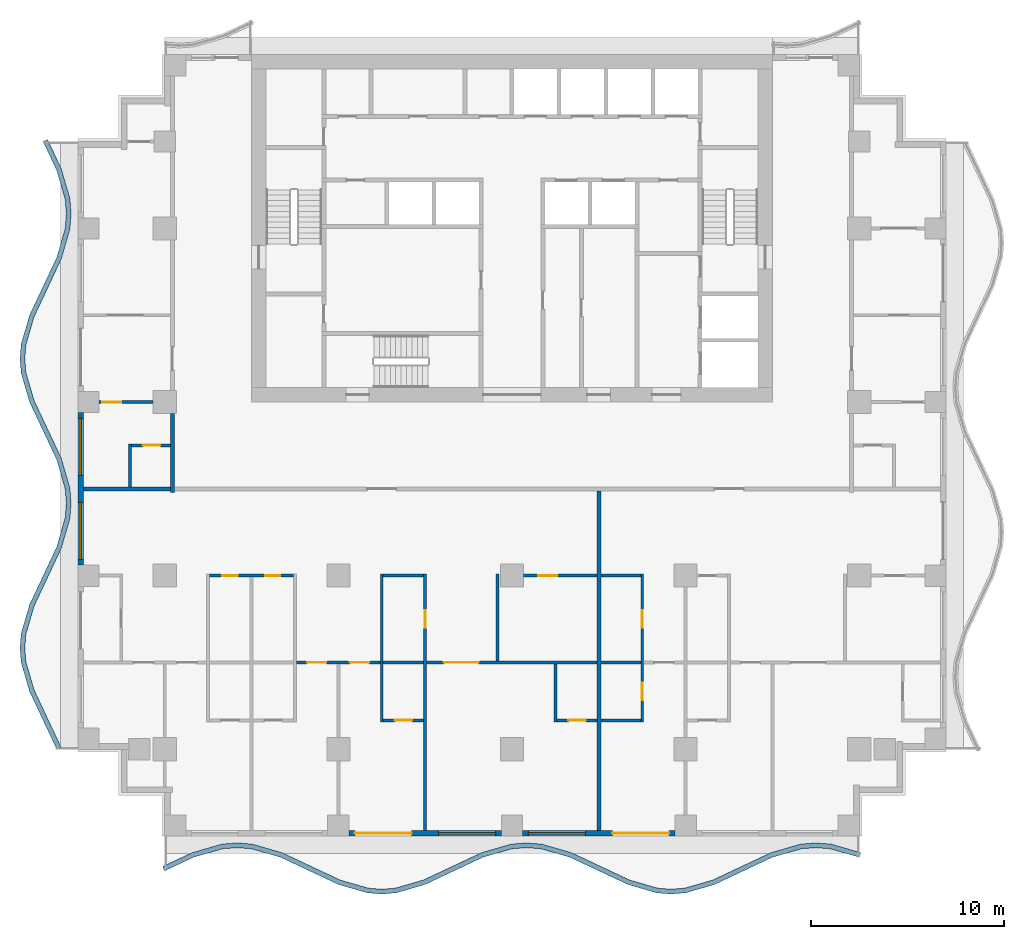
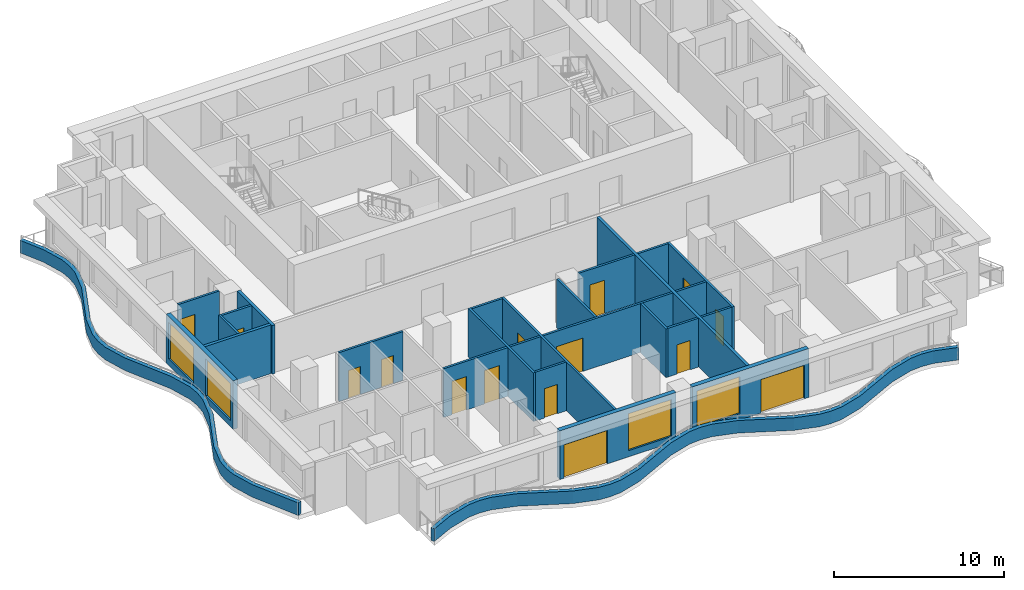
# One storey, part 2 of 10: 27 walls, 15 doors, 4 windows, 19 openings.
"""IFC4 building model written with IfcOpenShell, lengths in metres."""

from ifc_helpers import new_model, si_unit, direction, frame, frame_2d, origin, place, context, subcontext, project, spatial, polyline, rectangle, outline, extrude, material, layer, layer_set, type_object, element, fill, save


model = new_model("IFC4")

# Units and contexts
model_context = context("Model", 3, precision=1e-05, world=origin(), true_north=direction((0.0, 1.0)))
body_context = subcontext(model_context, "Body", "Model", "MODEL_VIEW")
ifc_project = project(units=[si_unit("LENGTHUNIT", "METRE"), si_unit("AREAUNIT", "SQUARE_METRE"), si_unit("VOLUMEUNIT", "CUBIC_METRE"), si_unit("PLANEANGLEUNIT", "RADIAN"), si_unit("MASSUNIT", "GRAM", prefix="KILO")], contexts=[model_context])

# Site, building, storey
site_placement = place(None, origin())
site = spatial("IfcSite", under=ifc_project, at=site_placement, CompositionType="ELEMENT")
building_placement = place(site_placement, origin())
building = spatial("IfcBuilding", under=site, at=building_placement, Name="Orbiselva Terraces", CompositionType="ELEMENT")
storey_placement = place(building_placement, frame((0.0, 0.0, 159.2)))
storey = spatial("IfcBuildingStorey", under=building, at=storey_placement, Name="L40", CompositionType="ELEMENT", Elevation=159.2)

# Walls
ifc_material_1 = material(Name="Concrete C40/50", Category="concrete")
ifc_layer_1 = layer(ifc_material_1, 0.25)
ifc_layer_set_1 = layer_set([ifc_layer_1], Name="Concrete C40/50")
wall_type_1 = type_object("IfcWallType", Name="ENV-PLANTER-250x900", PredefinedType="USERDEFINED", material=ifc_layer_set_1)
wall_1_placement = place(storey_placement, origin())
element("IfcWall", 1, at=wall_1_placement, inside=storey, type_object=wall_type_1, Name="Balcony planter L40 S", ObjectType="PLANTER", PredefinedType="USERDEFINED", context=body_context, shape_type="SweptSolid", body=[
    extrude(outline(polyline([(-18.0, -19.8), (-16.5, -19.094658), (-15.0, -18.658732), (-14.25, -18.6), (-13.5, -18.658732), (-12.0, -19.094658), (-10.5, -19.8), (-9.0, -20.505342), (-7.5, -20.941268), (-6.75, -21.0), (-6.0, -20.941268), (-4.5, -20.505342), (-3.0, -19.8), (-1.5, -19.094658), (0.0, -18.658732), (0.75, -18.6), (1.5, -18.658732), (3.0, -19.094658), (4.5, -19.8), (6.0, -20.505342), (7.5, -20.941268), (8.25, -21.0), (9.0, -20.941268), (10.5, -20.505342), (12.0, -19.8), (13.5, -19.094658), (15.0, -18.658732), (15.75, -18.6), (16.5, -18.658732), (18.0, -19.094658), (18.069768, -18.85459), (16.545114, -18.411499), (15.75, -18.349235), (14.954886, -18.411499), (13.411382, -18.860069), (11.893617, -19.573764), (10.411382, -20.270753), (8.954886, -20.694035), (8.25, -20.749235), (7.545114, -20.694035), (6.088618, -20.270753), (4.606383, -19.573764), (3.088618, -18.860069), (1.545114, -18.411499), (0.75, -18.349235), (-0.045114, -18.411499), (-1.588618, -18.860069), (-3.106383, -19.573764), (-4.588618, -20.270753), (-6.045114, -20.694035), (-6.75, -20.749235), (-7.454886, -20.694035), (-8.911382, -20.270753), (-10.393617, -19.573764), (-11.911382, -18.860069), (-13.454886, -18.411499), (-14.25, -18.349235), (-15.045114, -18.411499), (-16.588618, -18.860069), (-18.106383, -19.573764), (-18.0, -19.8)])), origin(), (0.0, 0.0, 1.0), 0.9),
])
wall_2_placement = place(storey_placement, origin())
element("IfcWall", 2, at=wall_2_placement, inside=storey, type_object=wall_type_1, Name="Balcony planter L40 W", ObjectType="PLANTER", PredefinedType="USERDEFINED", context=body_context, shape_type="SweptSolid", body=[
    extrude(outline(polyline([(-24.3, 18.0), (-23.594658, 16.5), (-23.158732, 15.0), (-23.1, 14.25), (-23.158732, 13.5), (-23.594658, 12.0), (-24.3, 10.5), (-25.005342, 9.0), (-25.441268, 7.5), (-25.5, 6.75), (-25.441268, 6.0), (-25.005342, 4.5), (-24.3, 3.0), (-23.594658, 1.5), (-23.158732, 0.0), (-23.1, -0.75), (-23.158732, -1.5), (-23.594658, -3.0), (-24.3, -4.5), (-25.005342, -6.0), (-25.441268, -7.5), (-25.5, -8.25), (-25.441268, -9.0), (-25.005342, -10.5), (-24.3, -12.0), (-23.594658, -13.5), (-23.368422, -13.393617), (-24.073764, -11.893617), (-24.770753, -10.411382), (-25.194035, -8.954886), (-25.249235, -8.25), (-25.194035, -7.545114), (-24.770753, -6.088618), (-24.073764, -4.606383), (-23.360069, -3.088618), (-22.911499, -1.545114), (-22.849235, -0.75), (-22.911499, 0.045114), (-23.360069, 1.588618), (-24.073764, 3.106383), (-24.770753, 4.588618), (-25.194035, 6.045114), (-25.249235, 6.75), (-25.194035, 7.454886), (-24.770753, 8.911382), (-24.073764, 10.393617), (-23.360069, 11.911382), (-22.911499, 13.454886), (-22.849235, 14.25), (-22.911499, 15.045114), (-23.360069, 16.588618), (-24.073764, 18.106383), (-24.3, 18.0)])), origin(), (0.0, 0.0, 1.0), 0.9),
])

# Wall, openings, door, window
ifc_material_2 = material(Name="Terracotta cladding on masonry backing", Category="masonry")
ifc_layer_2 = layer(ifc_material_2, 0.3)
ifc_layer_set_2 = layer_set([ifc_layer_2], Name="Terracotta cladding on masonry backing")
wall_type_2 = type_object("IfcWallType", Name="ENV-WALL-TERRACOTTA-300", PredefinedType="SOLIDWALL", material=ifc_layer_set_2)
wall_3_placement = place(storey_placement, frame((-0.55, -17.85, 0.0), z_axis=(0.0, 0.0, 1.0), x_axis=(-1.0, 0.0, 0.0)))
wall_3 = element("IfcWall", 3, at=wall_3_placement, inside=storey, type_object=wall_type_2, Name="Facade wall L40 S", PredefinedType="SOLIDWALL", context=body_context, shape_type="SweptSolid", body=[
    extrude(rectangle(XDim=7.9, YDim=0.3, at=frame_2d((3.95, 0.0))), origin(), (0.0, 0.0, 1.0), 3.5),
])
opening_1_placement = place(wall_3_placement, frame((4.65, 0.0, 0.0)))
opening_1 = element("IfcOpeningElement", 4, at=opening_1_placement, cuts=wall_3, Name="Opening Z3-D-E01", PredefinedType="OPENING", context=body_context, shape_type="SweptSolid", body=[
    extrude(rectangle(XDim=2.95, YDim=2.4, at=frame_2d((1.475, 1.2))), frame((0.0, 0.16, 0.0), z_axis=(0.0, -1.0, 0.0), x_axis=(1.0, 0.0, 0.0)), (0.0, 0.0, 1.0), 0.32),
])
opening_2_placement = place(wall_3_placement, frame((0.3, 0.0, 0.45)))
opening_2 = element("IfcOpeningElement", 5, at=opening_2_placement, cuts=wall_3, Name="Opening WN12", PredefinedType="OPENING", context=body_context, shape_type="SweptSolid", body=[
    extrude(rectangle(XDim=2.95, YDim=2.65, at=frame_2d((1.475, 1.325))), frame((0.0, 0.16, 0.0), z_axis=(0.0, -1.0, 0.0), x_axis=(1.0, 0.0, 0.0)), (0.0, 0.0, 1.0), 0.32),
])
ifc_material_3 = material(Name="Clear low-e glazing in aluminium frame", Category="aluminium")
door_type_1 = type_object("IfcDoorType", Name="BALCONY DOOR 2950 X 2400", OperationType="DOUBLE_DOOR_SLIDING", PredefinedType="DOOR", material=ifc_material_3)
door_1_placement = place(opening_1_placement, origin())
door_1 = element("IfcDoor", 6, at=door_1_placement, inside=storey, type_object=door_type_1, Name="Z3-D-E01", OperationType="SINGLE_SWING_LEFT", OverallHeight=2.4, OverallWidth=2.95, PredefinedType="DOOR", context=body_context, shape_type="SweptSolid", body=[
    extrude(rectangle(XDim=2.95, YDim=2.4, at=frame_2d((1.475, 1.2))), frame((0.0, 0.025, 0.0), z_axis=(0.0, -1.0, 0.0), x_axis=(1.0, 0.0, 0.0)), (0.0, 0.0, 1.0), 0.05),
])
fill(opening_1, door_1)
window_type = type_object("IfcWindowType", Name="WINDOW 2950 X 2650 S450", PartitioningType="TRIPLE_PANEL_VERTICAL", PredefinedType="WINDOW", material=ifc_material_3)
window_1_placement = place(opening_2_placement, origin())
window_1 = element("IfcWindow", 7, at=window_1_placement, inside=storey, type_object=window_type, Name="Window L40 S", OverallHeight=2.65, OverallWidth=2.95, PartitioningType="SINGLE_PANEL", PredefinedType="WINDOW", context=body_context, shape_type="SweptSolid", body=[
    extrude(rectangle(XDim=2.95, YDim=2.65, at=frame_2d((1.475, 1.325))), frame((0.0, 0.03, 0.0), z_axis=(0.0, -1.0, 0.0), x_axis=(1.0, 0.0, 0.0)), (0.0, 0.0, 1.0), 0.06),
])
fill(opening_2, window_1)

wall_4_placement = place(storey_placement, frame((8.45, -17.85, 0.0), z_axis=(0.0, 0.0, 1.0), x_axis=(-1.0, 0.0, 0.0)))
wall_4 = element("IfcWall", 8, at=wall_4_placement, inside=storey, type_object=wall_type_2, Name="Facade wall L40 S", PredefinedType="SOLIDWALL", context=body_context, shape_type="SweptSolid", body=[
    extrude(rectangle(XDim=7.9, YDim=0.3, at=frame_2d((3.95, 0.0))), origin(), (0.0, 0.0, 1.0), 3.5),
])
opening_3_placement = place(wall_4_placement, frame((4.65, 0.0, 0.45)))
opening_3 = element("IfcOpeningElement", 9, at=opening_3_placement, cuts=wall_4, Name="Opening WN12", PredefinedType="OPENING", context=body_context, shape_type="SweptSolid", body=[
    extrude(rectangle(XDim=2.95, YDim=2.65, at=frame_2d((1.475, 1.325))), frame((0.0, 0.16, 0.0), z_axis=(0.0, -1.0, 0.0), x_axis=(1.0, 0.0, 0.0)), (0.0, 0.0, 1.0), 0.32),
])
opening_4_placement = place(wall_4_placement, frame((0.3, 0.0, 0.0)))
opening_4 = element("IfcOpeningElement", 10, at=opening_4_placement, cuts=wall_4, Name="Opening Z3-D-E02", PredefinedType="OPENING", context=body_context, shape_type="SweptSolid", body=[
    extrude(rectangle(XDim=2.95, YDim=2.4, at=frame_2d((1.475, 1.2))), frame((0.0, 0.16, 0.0), z_axis=(0.0, -1.0, 0.0), x_axis=(1.0, 0.0, 0.0)), (0.0, 0.0, 1.0), 0.32),
])
door_2_placement = place(opening_4_placement, origin())
door_2 = element("IfcDoor", 11, at=door_2_placement, inside=storey, type_object=door_type_1, Name="Z3-D-E02", OperationType="SINGLE_SWING_LEFT", OverallHeight=2.4, OverallWidth=2.95, PredefinedType="DOOR", context=body_context, shape_type="SweptSolid", body=[
    extrude(rectangle(XDim=2.95, YDim=2.4, at=frame_2d((1.475, 1.2))), frame((0.0, 0.025, 0.0), z_axis=(0.0, -1.0, 0.0), x_axis=(1.0, 0.0, 0.0)), (0.0, 0.0, 1.0), 0.05),
])
fill(opening_4, door_2)
window_2_placement = place(opening_3_placement, origin())
window_2 = element("IfcWindow", 12, at=window_2_placement, inside=storey, type_object=window_type, Name="Window L40 S", OverallHeight=2.65, OverallWidth=2.95, PartitioningType="SINGLE_PANEL", PredefinedType="WINDOW", context=body_context, shape_type="SweptSolid", body=[
    extrude(rectangle(XDim=2.95, YDim=2.65, at=frame_2d((1.475, 1.325))), frame((0.0, 0.03, 0.0), z_axis=(0.0, -1.0, 0.0), x_axis=(1.0, 0.0, 0.0)), (0.0, 0.0, 1.0), 0.06),
])
fill(opening_3, window_2)

# Wall, openings, windows
wall_5_placement = place(storey_placement, frame((-22.35, -3.95, 0.0), z_axis=(0.0, 0.0, 1.0), x_axis=(0.0, 1.0, 0.0)))
wall_5 = element("IfcWall", 13, at=wall_5_placement, inside=storey, type_object=wall_type_2, Name="Facade wall L40 W", PredefinedType="SOLIDWALL", context=body_context, shape_type="SweptSolid", body=[
    extrude(rectangle(XDim=7.9, YDim=0.3, at=frame_2d((3.95, 0.0))), origin(), (0.0, 0.0, 1.0), 3.5),
])
opening_5_placement = place(wall_5_placement, frame((4.65, 0.0, 0.45)))
opening_5 = element("IfcOpeningElement", 14, at=opening_5_placement, cuts=wall_5, Name="Opening WN12", PredefinedType="OPENING", context=body_context, shape_type="SweptSolid", body=[
    extrude(rectangle(XDim=2.95, YDim=2.65, at=frame_2d((1.475, 1.325))), frame((0.0, 0.16, 0.0), z_axis=(0.0, -1.0, 0.0), x_axis=(1.0, 0.0, 0.0)), (0.0, 0.0, 1.0), 0.32),
])
opening_6_placement = place(wall_5_placement, frame((0.3, 0.0, 0.45)))
opening_6 = element("IfcOpeningElement", 15, at=opening_6_placement, cuts=wall_5, Name="Opening WN12", PredefinedType="OPENING", context=body_context, shape_type="SweptSolid", body=[
    extrude(rectangle(XDim=2.95, YDim=2.65, at=frame_2d((1.475, 1.325))), frame((0.0, 0.16, 0.0), z_axis=(0.0, -1.0, 0.0), x_axis=(1.0, 0.0, 0.0)), (0.0, 0.0, 1.0), 0.32),
])
window_3_placement = place(opening_5_placement, origin())
window_3 = element("IfcWindow", 16, at=window_3_placement, inside=storey, type_object=window_type, Name="Window L40 W", OverallHeight=2.65, OverallWidth=2.95, PartitioningType="SINGLE_PANEL", PredefinedType="WINDOW", context=body_context, shape_type="SweptSolid", body=[
    extrude(rectangle(XDim=2.95, YDim=2.65, at=frame_2d((1.475, 1.325))), frame((0.0, 0.03, 0.0), z_axis=(0.0, -1.0, 0.0), x_axis=(1.0, 0.0, 0.0)), (0.0, 0.0, 1.0), 0.06),
])
fill(opening_5, window_3)
window_4_placement = place(opening_6_placement, origin())
window_4 = element("IfcWindow", 17, at=window_4_placement, inside=storey, type_object=window_type, Name="Window L40 W", OverallHeight=2.65, OverallWidth=2.95, PartitioningType="SINGLE_PANEL", PredefinedType="WINDOW", context=body_context, shape_type="SweptSolid", body=[
    extrude(rectangle(XDim=2.95, YDim=2.65, at=frame_2d((1.475, 1.325))), frame((0.0, 0.03, 0.0), z_axis=(0.0, -1.0, 0.0), x_axis=(1.0, 0.0, 0.0)), (0.0, 0.0, 1.0), 0.06),
])
fill(opening_6, window_4)

# Wall
ifc_material_4 = material(Name="Plasterboard on steel stud partition", Category="steel")
ifc_layer_3 = layer(ifc_material_4, 0.2)
ifc_layer_set_3 = layer_set([ifc_layer_3], Name="Plasterboard on steel stud partition")
wall_type_3 = type_object("IfcWallType", Name="UNIT-ENTRANCE-WALL-200", PredefinedType="PARTITIONING", material=ifc_layer_set_3)
wall_6_placement = place(storey_placement, frame((-17.6, -0.2, 0.0), z_axis=(0.0, 0.0, 1.0), x_axis=(0.0, 1.0, 0.0)))
element("IfcWall", 18, at=wall_6_placement, inside=storey, type_object=wall_type_3, Name="PARTITION L40-040", PredefinedType="PARTITIONING", context=body_context, shape_type="SweptSolid", body=[
    extrude(rectangle(XDim=4.1, YDim=0.2, at=frame_2d((2.05, 0.0))), origin(), (0.0, 0.0, 1.0), 3.5),
])

# Wall, opening, door
ifc_layer_4 = layer(ifc_material_4, 0.15)
ifc_layer_set_4 = layer_set([ifc_layer_4], Name="Plasterboard on steel stud partition")
wall_type_4 = type_object("IfcWallType", Name="UNIT-PARTITION-150", PredefinedType="PARTITIONING", material=ifc_layer_set_4)
wall_7_placement = place(storey_placement, frame((-6.675, -12.0, 0.0), z_axis=(0.0, 0.0, 1.0), x_axis=(1.0, 0.0, 0.0)))
wall_7 = element("IfcWall", 19, at=wall_7_placement, inside=storey, type_object=wall_type_4, Name="PARTITION L40-003", PredefinedType="PARTITIONING", context=body_context, shape_type="SweptSolid", body=[
    extrude(rectangle(XDim=2.1, YDim=0.15, at=frame_2d((1.05, 0.0))), origin(), (0.0, 0.0, 1.0), 3.5),
])
opening_7_placement = place(wall_7_placement, frame((0.6, 0.0, 0.0)))
opening_7 = element("IfcOpeningElement", 20, at=opening_7_placement, cuts=wall_7, Name="Opening Z3-D-20", PredefinedType="OPENING", context=body_context, shape_type="SweptSolid", body=[
    extrude(rectangle(XDim=0.9, YDim=2.1, at=frame_2d((0.45, 1.05))), frame((0.0, 0.085, 0.0), z_axis=(0.0, -1.0, 0.0), x_axis=(1.0, 0.0, 0.0)), (0.0, 0.0, 1.0), 0.17),
])
ifc_material_5 = material(Name="Painted timber door leaf", Category="wood")
door_type_2 = type_object("IfcDoorType", Name="BATH DOOR 900", OperationType="NOTDEFINED", PredefinedType="DOOR", material=ifc_material_5)
door_3_placement = place(opening_7_placement, origin())
door_3 = element("IfcDoor", 21, at=door_3_placement, inside=storey, type_object=door_type_2, Name="Z3-D-20", OperationType="SINGLE_SWING_LEFT", OverallHeight=2.1, OverallWidth=0.9, PredefinedType="DOOR", context=body_context, shape_type="SweptSolid", body=[
    extrude(rectangle(XDim=0.9, YDim=2.1, at=frame_2d((0.45, 1.05))), frame((0.0, 0.025, 0.0), z_axis=(0.0, -1.0, 0.0), x_axis=(1.0, 0.0, 0.0)), (0.0, 0.0, 1.0), 0.05),
])
fill(opening_7, door_3)

wall_8_placement = place(storey_placement, frame((2.325, -12.0, 0.0), z_axis=(0.0, 0.0, 1.0), x_axis=(1.0, 0.0, 0.0)))
wall_8 = element("IfcWall", 22, at=wall_8_placement, inside=storey, type_object=wall_type_4, Name="PARTITION L40-004", PredefinedType="PARTITIONING", context=body_context, shape_type="SweptSolid", body=[
    extrude(rectangle(XDim=2.075, YDim=0.15, at=frame_2d((1.0375, 0.0))), origin(), (0.0, 0.0, 1.0), 3.5),
])
opening_8_placement = place(wall_8_placement, frame((0.6, 0.0, 0.0)))
opening_8 = element("IfcOpeningElement", 23, at=opening_8_placement, cuts=wall_8, Name="Opening Z3-D-18", PredefinedType="OPENING", context=body_context, shape_type="SweptSolid", body=[
    extrude(rectangle(XDim=0.9, YDim=2.1, at=frame_2d((0.45, 1.05))), frame((0.0, 0.085, 0.0), z_axis=(0.0, -1.0, 0.0), x_axis=(1.0, 0.0, 0.0)), (0.0, 0.0, 1.0), 0.17),
])
door_4_placement = place(opening_8_placement, origin())
door_4 = element("IfcDoor", 24, at=door_4_placement, inside=storey, type_object=door_type_2, Name="Z3-D-18", OperationType="SINGLE_SWING_RIGHT", OverallHeight=2.1, OverallWidth=0.9, PredefinedType="DOOR", context=body_context, shape_type="SweptSolid", body=[
    extrude(rectangle(XDim=0.9, YDim=2.1, at=frame_2d((0.45, 1.05))), frame((0.0, 0.025, 0.0), z_axis=(0.0, -1.0, 0.0), x_axis=(1.0, 0.0, 0.0)), (0.0, 0.0, 1.0), 0.05),
])
fill(opening_8, door_4)

# Wall
wall_9_placement = place(storey_placement, frame((4.6, -12.0, 0.0), z_axis=(0.0, 0.0, 1.0), x_axis=(1.0, 0.0, 0.0)))
element("IfcWall", 25, at=wall_9_placement, inside=storey, type_object=wall_type_4, Name="PARTITION L40-005", PredefinedType="PARTITIONING", context=body_context, shape_type="SweptSolid", body=[
    extrude(rectangle(XDim=2.075, YDim=0.15, at=frame_2d((1.0375, 0.0))), origin(), (0.0, 0.0, 1.0), 3.5),
])

# Wall, openings, doors
wall_10_placement = place(storey_placement, frame((-6.825, -9.0, 0.0), z_axis=(0.0, 0.0, 1.0), x_axis=(-1.0, 0.0, 0.0)))
wall_10 = element("IfcWall", 26, at=wall_10_placement, inside=storey, type_object=wall_type_4, Name="PARTITION L40-011", PredefinedType="PARTITIONING", context=body_context, shape_type="SweptSolid", body=[
    extrude(rectangle(XDim=4.35, YDim=0.15, at=frame_2d((2.175, 0.0))), origin(), (0.0, 0.0, 1.0), 3.5),
])
opening_9_placement = place(wall_10_placement, frame((0.575, 0.0, 0.0)))
opening_9 = element("IfcOpeningElement", 27, at=opening_9_placement, cuts=wall_10, Name="Opening Z3-D-19", PredefinedType="OPENING", context=body_context, shape_type="SweptSolid", body=[
    extrude(rectangle(XDim=1.0, YDim=2.4, at=frame_2d((0.5, 1.2))), frame((0.0, 0.085, 0.0), z_axis=(0.0, -1.0, 0.0), x_axis=(1.0, 0.0, 0.0)), (0.0, 0.0, 1.0), 0.17),
])
opening_10_placement = place(wall_10_placement, frame((2.8, 0.0, 0.0)))
opening_10 = element("IfcOpeningElement", 28, at=opening_10_placement, cuts=wall_10, Name="Opening Z3-D-21", PredefinedType="OPENING", context=body_context, shape_type="SweptSolid", body=[
    extrude(rectangle(XDim=1.0, YDim=2.4, at=frame_2d((0.5, 1.2))), frame((0.0, 0.085, 0.0), z_axis=(0.0, -1.0, 0.0), x_axis=(1.0, 0.0, 0.0)), (0.0, 0.0, 1.0), 0.17),
])
door_type_3 = type_object("IfcDoorType", Name="ROOM DOOR 1000", OperationType="NOTDEFINED", PredefinedType="DOOR", material=ifc_material_5)
door_5_placement = place(opening_9_placement, origin())
door_5 = element("IfcDoor", 29, at=door_5_placement, inside=storey, type_object=door_type_3, Name="Z3-D-19", OperationType="SINGLE_SWING_LEFT", OverallHeight=2.4, OverallWidth=1.0, PredefinedType="DOOR", context=body_context, shape_type="SweptSolid", body=[
    extrude(rectangle(XDim=1.0, YDim=2.4, at=frame_2d((0.5, 1.2))), frame((0.0, 0.025, 0.0), z_axis=(0.0, -1.0, 0.0), x_axis=(1.0, 0.0, 0.0)), (0.0, 0.0, 1.0), 0.05),
])
fill(opening_9, door_5)
door_6_placement = place(opening_10_placement, origin())
door_6 = element("IfcDoor", 30, at=door_6_placement, inside=storey, type_object=door_type_3, Name="Z3-D-21", OperationType="SINGLE_SWING_RIGHT", OverallHeight=2.4, OverallWidth=1.0, PredefinedType="DOOR", context=body_context, shape_type="SweptSolid", body=[
    extrude(rectangle(XDim=1.0, YDim=2.4, at=frame_2d((0.5, 1.2))), frame((0.0, 0.025, 0.0), z_axis=(0.0, -1.0, 0.0), x_axis=(1.0, 0.0, 0.0)), (0.0, 0.0, 1.0), 0.05),
])
fill(opening_10, door_6)

# Wall
wall_11_placement = place(storey_placement, frame((-6.675, -9.0, 0.0), z_axis=(0.0, 0.0, 1.0), x_axis=(1.0, 0.0, 0.0)))
element("IfcWall", 31, at=wall_11_placement, inside=storey, type_object=wall_type_4, Name="PARTITION L40-012", PredefinedType="PARTITIONING", context=body_context, shape_type="SweptSolid", body=[
    extrude(rectangle(XDim=2.1, YDim=0.15, at=frame_2d((1.05, 0.0))), origin(), (0.0, 0.0, 1.0), 3.5),
])

# Wall, opening, door
wall_12_placement = place(storey_placement, frame((4.4, -9.0, 0.0), z_axis=(0.0, 0.0, 1.0), x_axis=(-1.0, 0.0, 0.0)))
wall_12 = element("IfcWall", 32, at=wall_12_placement, inside=storey, type_object=wall_type_4, Name="PARTITION L40-013", PredefinedType="PARTITIONING", context=body_context, shape_type="SweptSolid", body=[
    extrude(rectangle(XDim=8.825, YDim=0.15, at=frame_2d((4.4125, 0.0))), origin(), (0.0, 0.0, 1.0), 3.5),
])
opening_11_placement = place(wall_12_placement, frame((6.125, 0.0, 0.0)))
opening_11 = element("IfcOpeningElement", 33, at=opening_11_placement, cuts=wall_12, Name="Opening Z3-D-17", PredefinedType="OPENING", context=body_context, shape_type="SweptSolid", body=[
    extrude(rectangle(XDim=1.8, YDim=2.4, at=frame_2d((0.9, 1.2))), frame((0.0, 0.085, 0.0), z_axis=(0.0, -1.0, 0.0), x_axis=(1.0, 0.0, 0.0)), (0.0, 0.0, 1.0), 0.17),
])
door_type_4 = type_object("IfcDoorType", Name="DOUBLE DOOR 1800", OperationType="NOTDEFINED", PredefinedType="DOOR", material=ifc_material_5)
door_7_placement = place(opening_11_placement, origin())
door_7 = element("IfcDoor", 34, at=door_7_placement, inside=storey, type_object=door_type_4, Name="Z3-D-17", OperationType="DOUBLE_DOOR_SINGLE_SWING", OverallHeight=2.4, OverallWidth=1.8, PredefinedType="DOOR", context=body_context, shape_type="SweptSolid", body=[
    extrude(rectangle(XDim=1.8, YDim=2.4, at=frame_2d((0.9, 1.2))), frame((0.0, 0.025, 0.0), z_axis=(0.0, -1.0, 0.0), x_axis=(1.0, 0.0, 0.0)), (0.0, 0.0, 1.0), 0.05),
])
fill(opening_11, door_7)

# Wall
wall_13_placement = place(storey_placement, frame((4.6, -9.0, 0.0), z_axis=(0.0, 0.0, 1.0), x_axis=(1.0, 0.0, 0.0)))
element("IfcWall", 35, at=wall_13_placement, inside=storey, type_object=wall_type_4, Name="PARTITION L40-014", PredefinedType="PARTITIONING", context=body_context, shape_type="SweptSolid", body=[
    extrude(rectangle(XDim=2.075, YDim=0.15, at=frame_2d((1.0375, 0.0))), origin(), (0.0, 0.0, 1.0), 3.5),
])

# Wall, openings, doors
wall_14_placement = place(storey_placement, frame((-11.325, -4.5, 0.0), z_axis=(0.0, 0.0, 1.0), x_axis=(-1.0, 0.0, 0.0)))
wall_14 = element("IfcWall", 36, at=wall_14_placement, inside=storey, type_object=wall_type_4, Name="PARTITION L40-019", PredefinedType="PARTITIONING", context=body_context, shape_type="SweptSolid", body=[
    extrude(rectangle(XDim=4.35, YDim=0.15, at=frame_2d((2.175, 0.0))), origin(), (0.0, 0.0, 1.0), 3.5),
])
opening_12_placement = place(wall_14_placement, frame((0.675, 0.0, 0.0)))
opening_12 = element("IfcOpeningElement", 37, at=opening_12_placement, cuts=wall_14, Name="Opening Z3-D-14", PredefinedType="OPENING", context=body_context, shape_type="SweptSolid", body=[
    extrude(rectangle(XDim=0.8, YDim=2.0, at=frame_2d((0.4, 1.0))), frame((0.0, 0.085, 0.0), z_axis=(0.0, -1.0, 0.0), x_axis=(1.0, 0.0, 0.0)), (0.0, 0.0, 1.0), 0.17),
])
opening_13_placement = place(wall_14_placement, frame((2.9, 0.0, 0.0)))
opening_13 = element("IfcOpeningElement", 38, at=opening_13_placement, cuts=wall_14, Name="Opening Z3-D-15", PredefinedType="OPENING", context=body_context, shape_type="SweptSolid", body=[
    extrude(rectangle(XDim=0.8, YDim=2.0, at=frame_2d((0.4, 1.0))), frame((0.0, 0.085, 0.0), z_axis=(0.0, -1.0, 0.0), x_axis=(1.0, 0.0, 0.0)), (0.0, 0.0, 1.0), 0.17),
])
door_type_5 = type_object("IfcDoorType", Name="STORE DOOR 800", OperationType="NOTDEFINED", PredefinedType="DOOR", material=ifc_material_5)
door_8_placement = place(opening_12_placement, origin())
door_8 = element("IfcDoor", 39, at=door_8_placement, inside=storey, type_object=door_type_5, Name="Z3-D-14", OperationType="SINGLE_SWING_LEFT", OverallHeight=2.0, OverallWidth=0.8, PredefinedType="DOOR", context=body_context, shape_type="SweptSolid", body=[
    extrude(rectangle(XDim=0.8, YDim=2.0, at=frame_2d((0.4, 1.0))), frame((0.0, 0.025, 0.0), z_axis=(0.0, -1.0, 0.0), x_axis=(1.0, 0.0, 0.0)), (0.0, 0.0, 1.0), 0.05),
])
fill(opening_12, door_8)
door_9_placement = place(opening_13_placement, origin())
door_9 = element("IfcDoor", 40, at=door_9_placement, inside=storey, type_object=door_type_5, Name="Z3-D-15", OperationType="SINGLE_SWING_RIGHT", OverallHeight=2.0, OverallWidth=0.8, PredefinedType="DOOR", context=body_context, shape_type="SweptSolid", body=[
    extrude(rectangle(XDim=0.8, YDim=2.0, at=frame_2d((0.4, 1.0))), frame((0.0, 0.025, 0.0), z_axis=(0.0, -1.0, 0.0), x_axis=(1.0, 0.0, 0.0)), (0.0, 0.0, 1.0), 0.05),
])
fill(opening_13, door_9)

# Wall
wall_15_placement = place(storey_placement, frame((-6.675, -4.5, 0.0), z_axis=(0.0, 0.0, 1.0), x_axis=(1.0, 0.0, 0.0)))
element("IfcWall", 41, at=wall_15_placement, inside=storey, type_object=wall_type_4, Name="PARTITION L40-020", PredefinedType="PARTITIONING", context=body_context, shape_type="SweptSolid", body=[
    extrude(rectangle(XDim=2.1, YDim=0.15, at=frame_2d((1.05, 0.0))), origin(), (0.0, 0.0, 1.0), 3.5),
])

# Wall, opening, door
wall_16_placement = place(storey_placement, frame((4.4, -4.5, 0.0), z_axis=(0.0, 0.0, 1.0), x_axis=(-1.0, 0.0, 0.0)))
wall_16 = element("IfcWall", 42, at=wall_16_placement, inside=storey, type_object=wall_type_4, Name="PARTITION L40-021", PredefinedType="PARTITIONING", context=body_context, shape_type="SweptSolid", body=[
    extrude(rectangle(XDim=3.8, YDim=0.15, at=frame_2d((1.9, 0.0))), origin(), (0.0, 0.0, 1.0), 3.5),
])
opening_14_placement = place(wall_16_placement, frame((2.05, 0.0, 0.0)))
opening_14 = element("IfcOpeningElement", 43, at=opening_14_placement, cuts=wall_16, Name="Opening Z3-D-12", PredefinedType="OPENING", context=body_context, shape_type="SweptSolid", body=[
    extrude(rectangle(XDim=1.0, YDim=2.4, at=frame_2d((0.5, 1.2))), frame((0.0, 0.085, 0.0), z_axis=(0.0, -1.0, 0.0), x_axis=(1.0, 0.0, 0.0)), (0.0, 0.0, 1.0), 0.17),
])
door_10_placement = place(opening_14_placement, origin())
door_10 = element("IfcDoor", 44, at=door_10_placement, inside=storey, type_object=door_type_3, Name="Z3-D-12", OperationType="SINGLE_SWING_RIGHT", OverallHeight=2.4, OverallWidth=1.0, PredefinedType="DOOR", context=body_context, shape_type="SweptSolid", body=[
    extrude(rectangle(XDim=1.0, YDim=2.4, at=frame_2d((0.5, 1.2))), frame((0.0, 0.025, 0.0), z_axis=(0.0, -1.0, 0.0), x_axis=(1.0, 0.0, 0.0)), (0.0, 0.0, 1.0), 0.05),
])
fill(opening_14, door_10)

# Wall
wall_17_placement = place(storey_placement, frame((4.6, -4.5, 0.0), z_axis=(0.0, 0.0, 1.0), x_axis=(1.0, 0.0, 0.0)))
element("IfcWall", 45, at=wall_17_placement, inside=storey, type_object=wall_type_4, Name="PARTITION L40-022", PredefinedType="PARTITIONING", context=body_context, shape_type="SweptSolid", body=[
    extrude(rectangle(XDim=2.075, YDim=0.15, at=frame_2d((1.0375, 0.0))), origin(), (0.0, 0.0, 1.0), 3.5),
])

# Wall, opening, door
wall_18_placement = place(storey_placement, frame((-17.7, 2.25, 0.0), z_axis=(0.0, 0.0, 1.0), x_axis=(-1.0, 0.0, 0.0)))
wall_18 = element("IfcWall", 46, at=wall_18_placement, inside=storey, type_object=wall_type_4, Name="PARTITION L40-028", PredefinedType="PARTITIONING", context=body_context, shape_type="SweptSolid", body=[
    extrude(rectangle(XDim=2.03, YDim=0.15, at=frame_2d((1.015, 0.0))), origin(), (0.0, 0.0, 1.0), 3.5),
])
opening_15_placement = place(wall_18_placement, frame((0.53, 0.0, 0.0)))
opening_15 = element("IfcOpeningElement", 47, at=opening_15_placement, cuts=wall_18, Name="Opening Z3-D-02", PredefinedType="OPENING", context=body_context, shape_type="SweptSolid", body=[
    extrude(rectangle(XDim=0.9, YDim=2.1, at=frame_2d((0.45, 1.05))), frame((0.0, 0.085, 0.0), z_axis=(0.0, -1.0, 0.0), x_axis=(1.0, 0.0, 0.0)), (0.0, 0.0, 1.0), 0.17),
])
door_11_placement = place(opening_15_placement, origin())
door_11 = element("IfcDoor", 48, at=door_11_placement, inside=storey, type_object=door_type_2, Name="Z3-D-02", OperationType="SINGLE_SWING_LEFT", OverallHeight=2.1, OverallWidth=0.9, PredefinedType="DOOR", context=body_context, shape_type="SweptSolid", body=[
    extrude(rectangle(XDim=0.9, YDim=2.1, at=frame_2d((0.45, 1.05))), frame((0.0, 0.025, 0.0), z_axis=(0.0, -1.0, 0.0), x_axis=(1.0, 0.0, 0.0)), (0.0, 0.0, 1.0), 0.05),
])
fill(opening_15, door_11)

wall_19_placement = place(storey_placement, frame((-18.6, 4.5, 0.0), z_axis=(0.0, 0.0, 1.0), x_axis=(-1.0, 0.0, 0.0)))
wall_19 = element("IfcWall", 49, at=wall_19_placement, inside=storey, type_object=wall_type_4, Name="PARTITION L40-030", PredefinedType="PARTITIONING", context=body_context, shape_type="SweptSolid", body=[
    extrude(rectangle(XDim=2.8, YDim=0.15, at=frame_2d((1.4, 0.0))), origin(), (0.0, 0.0, 1.0), 3.5),
])
opening_16_placement = place(wall_19_placement, frame((1.65, 0.0, 0.0)))
opening_16 = element("IfcOpeningElement", 50, at=opening_16_placement, cuts=wall_19, Name="Opening Z3-D-01", PredefinedType="OPENING", context=body_context, shape_type="SweptSolid", body=[
    extrude(rectangle(XDim=1.0, YDim=2.4, at=frame_2d((0.5, 1.2))), frame((0.0, 0.085, 0.0), z_axis=(0.0, -1.0, 0.0), x_axis=(1.0, 0.0, 0.0)), (0.0, 0.0, 1.0), 0.17),
])
door_12_placement = place(opening_16_placement, origin())
door_12 = element("IfcDoor", 51, at=door_12_placement, inside=storey, type_object=door_type_3, Name="Z3-D-01", OperationType="SINGLE_SWING_RIGHT", OverallHeight=2.4, OverallWidth=1.0, PredefinedType="DOOR", context=body_context, shape_type="SweptSolid", body=[
    extrude(rectangle(XDim=1.0, YDim=2.4, at=frame_2d((0.5, 1.2))), frame((0.0, 0.025, 0.0), z_axis=(0.0, -1.0, 0.0), x_axis=(1.0, 0.0, 0.0)), (0.0, 0.0, 1.0), 0.05),
])
fill(opening_16, door_12)

# Walls
wall_20_placement = place(storey_placement, frame((-19.805, 0.1, 0.0), z_axis=(0.0, 0.0, 1.0), x_axis=(0.0, 1.0, 0.0)))
element("IfcWall", 52, at=wall_20_placement, inside=storey, type_object=wall_type_4, Name="PARTITION L40-037", PredefinedType="PARTITIONING", context=body_context, shape_type="SweptSolid", body=[
    extrude(rectangle(XDim=2.225, YDim=0.15, at=frame_2d((1.1125, 0.0))), origin(), (0.0, 0.0, 1.0), 3.5),
])
wall_21_placement = place(storey_placement, frame((-6.75, -12.075, 0.0), z_axis=(0.0, 0.0, 1.0), x_axis=(0.0, 1.0, 0.0)))
element("IfcWall", 53, at=wall_21_placement, inside=storey, type_object=wall_type_4, Name="PARTITION L40-049", PredefinedType="PARTITIONING", context=body_context, shape_type="SweptSolid", body=[
    extrude(rectangle(XDim=7.65, YDim=0.15, at=frame_2d((3.825, 0.0))), origin(), (0.0, 0.0, 1.0), 3.5),
])

# Wall, opening, door
wall_22_placement = place(storey_placement, frame((-4.5, -17.7, 0.0), z_axis=(0.0, 0.0, 1.0), x_axis=(0.0, 1.0, 0.0)))
wall_22 = element("IfcWall", 54, at=wall_22_placement, inside=storey, type_object=wall_type_4, Name="PARTITION L40-050", PredefinedType="PARTITIONING", context=body_context, shape_type="SweptSolid", body=[
    extrude(rectangle(XDim=13.275, YDim=0.15, at=frame_2d((6.6375, 0.0))), origin(), (0.0, 0.0, 1.0), 3.5),
])
opening_17_placement = place(wall_22_placement, frame((10.5, 0.0, 0.0)))
opening_17 = element("IfcOpeningElement", 55, at=opening_17_placement, cuts=wall_22, Name="Opening Z3-D-13", PredefinedType="OPENING", context=body_context, shape_type="SweptSolid", body=[
    extrude(rectangle(XDim=0.9, YDim=2.1, at=frame_2d((0.45, 1.05))), frame((0.0, 0.085, 0.0), z_axis=(0.0, -1.0, 0.0), x_axis=(1.0, 0.0, 0.0)), (0.0, 0.0, 1.0), 0.17),
])
door_13_placement = place(opening_17_placement, origin())
door_13 = element("IfcDoor", 56, at=door_13_placement, inside=storey, type_object=door_type_2, Name="Z3-D-13", OperationType="SINGLE_SWING_RIGHT", OverallHeight=2.1, OverallWidth=0.9, PredefinedType="DOOR", context=body_context, shape_type="SweptSolid", body=[
    extrude(rectangle(XDim=0.9, YDim=2.1, at=frame_2d((0.45, 1.05))), frame((0.0, 0.025, 0.0), z_axis=(0.0, -1.0, 0.0), x_axis=(1.0, 0.0, 0.0)), (0.0, 0.0, 1.0), 0.05),
])
fill(opening_17, door_13)

# Walls
wall_23_placement = place(storey_placement, frame((-0.75, -8.925, 0.0), z_axis=(0.0, 0.0, 1.0), x_axis=(0.0, 1.0, 0.0)))
element("IfcWall", 57, at=wall_23_placement, inside=storey, type_object=wall_type_4, Name="PARTITION L40-051", PredefinedType="PARTITIONING", context=body_context, shape_type="SweptSolid", body=[
    extrude(rectangle(XDim=4.5, YDim=0.15, at=frame_2d((2.25, 0.0))), origin(), (0.0, 0.0, 1.0), 3.5),
])
wall_24_placement = place(storey_placement, frame((2.25, -12.075, 0.0), z_axis=(0.0, 0.0, 1.0), x_axis=(0.0, 1.0, 0.0)))
element("IfcWall", 58, at=wall_24_placement, inside=storey, type_object=wall_type_4, Name="PARTITION L40-052", PredefinedType="PARTITIONING", context=body_context, shape_type="SweptSolid", body=[
    extrude(rectangle(XDim=3.0, YDim=0.15, at=frame_2d((1.5, 0.0))), origin(), (0.0, 0.0, 1.0), 3.5),
])

# Wall, openings, doors
wall_25_placement = place(storey_placement, frame((6.75, -12.075, 0.0), z_axis=(0.0, 0.0, 1.0), x_axis=(0.0, 1.0, 0.0)))
wall_25 = element("IfcWall", 59, at=wall_25_placement, inside=storey, type_object=wall_type_4, Name="PARTITION L40-054", PredefinedType="PARTITIONING", context=body_context, shape_type="SweptSolid", body=[
    extrude(rectangle(XDim=7.65, YDim=0.15, at=frame_2d((3.825, 0.0))), origin(), (0.0, 0.0, 1.0), 3.5),
])
opening_18_placement = place(wall_25_placement, frame((4.875, 0.0, 0.0)))
opening_18 = element("IfcOpeningElement", 60, at=opening_18_placement, cuts=wall_25, Name="Opening Z3-D-27", PredefinedType="OPENING", context=body_context, shape_type="SweptSolid", body=[
    extrude(rectangle(XDim=0.9, YDim=2.1, at=frame_2d((0.45, 1.05))), frame((0.0, 0.085, 0.0), z_axis=(0.0, -1.0, 0.0), x_axis=(1.0, 0.0, 0.0)), (0.0, 0.0, 1.0), 0.17),
])
opening_19_placement = place(wall_25_placement, frame((1.125, 0.0, 0.0)))
opening_19 = element("IfcOpeningElement", 61, at=opening_19_placement, cuts=wall_25, Name="Opening Z3-D-31", PredefinedType="OPENING", context=body_context, shape_type="SweptSolid", body=[
    extrude(rectangle(XDim=0.9, YDim=2.1, at=frame_2d((0.45, 1.05))), frame((0.0, 0.085, 0.0), z_axis=(0.0, -1.0, 0.0), x_axis=(1.0, 0.0, 0.0)), (0.0, 0.0, 1.0), 0.17),
])
door_14_placement = place(opening_18_placement, origin())
door_14 = element("IfcDoor", 62, at=door_14_placement, inside=storey, type_object=door_type_2, Name="Z3-D-27", OperationType="SINGLE_SWING_RIGHT", OverallHeight=2.1, OverallWidth=0.9, PredefinedType="DOOR", context=body_context, shape_type="SweptSolid", body=[
    extrude(rectangle(XDim=0.9, YDim=2.1, at=frame_2d((0.45, 1.05))), frame((0.0, 0.025, 0.0), z_axis=(0.0, -1.0, 0.0), x_axis=(1.0, 0.0, 0.0)), (0.0, 0.0, 1.0), 0.05),
])
fill(opening_18, door_14)
door_15_placement = place(opening_19_placement, origin())
door_15 = element("IfcDoor", 63, at=door_15_placement, inside=storey, type_object=door_type_2, Name="Z3-D-31", OperationType="SINGLE_SWING_LEFT", OverallHeight=2.1, OverallWidth=0.9, PredefinedType="DOOR", context=body_context, shape_type="SweptSolid", body=[
    extrude(rectangle(XDim=0.9, YDim=2.1, at=frame_2d((0.45, 1.05))), frame((0.0, 0.025, 0.0), z_axis=(0.0, -1.0, 0.0), x_axis=(1.0, 0.0, 0.0)), (0.0, 0.0, 1.0), 0.05),
])
fill(opening_19, door_15)

# Walls
ifc_layer_5 = layer(ifc_material_4, 0.2)
ifc_layer_set_5 = layer_set([ifc_layer_5], Name="Plasterboard on steel stud partition")
wall_type_5 = type_object("IfcWallType", Name="UNIT-PARTY-WALL-200", PredefinedType="PARTITIONING", material=ifc_layer_set_5)
wall_26_placement = place(storey_placement, frame((-22.2, 0.0, 0.0), z_axis=(0.0, 0.0, 1.0), x_axis=(1.0, 0.0, 0.0)))
element("IfcWall", 64, at=wall_26_placement, inside=storey, type_object=wall_type_5, Name="PARTITION L40-026", PredefinedType="PARTITIONING", context=body_context, shape_type="SweptSolid", body=[
    extrude(rectangle(XDim=4.5, YDim=0.2, at=frame_2d((2.25, 0.0))), origin(), (0.0, 0.0, 1.0), 3.5),
])
wall_27_placement = place(storey_placement, frame((4.5, -17.7, 0.0), z_axis=(0.0, 0.0, 1.0), x_axis=(0.0, 1.0, 0.0)))
element("IfcWall", 65, at=wall_27_placement, inside=storey, type_object=wall_type_5, Name="PARTITION L40-053", PredefinedType="PARTITIONING", context=body_context, shape_type="SweptSolid", body=[
    extrude(rectangle(XDim=17.6, YDim=0.2, at=frame_2d((8.8, 0.0))), origin(), (0.0, 0.0, 1.0), 3.5),
])

save(model, "model.ifc")
